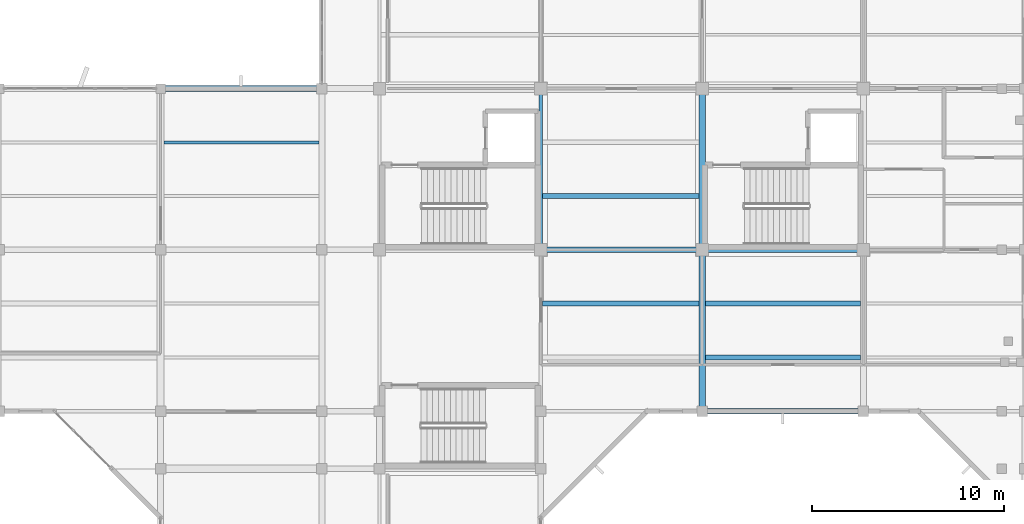
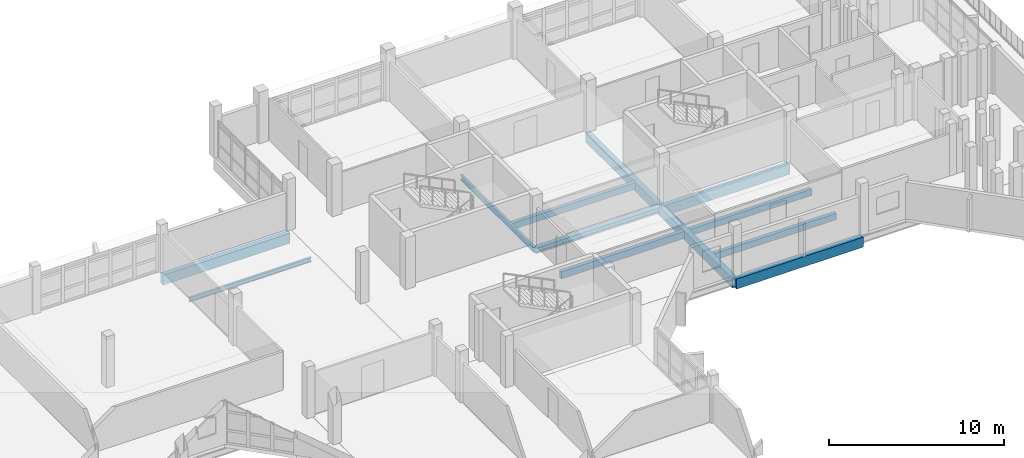
# One storey, part 19 of 51: 12 beams.
"""IFC4 building model written with IfcOpenShell, lengths in metres."""

import ifcopenshell
import ifcopenshell.guid

model = None  # the IFC model being written
_history = None  # IfcOwnerHistory: only IFC2X3 demands one
_inside = {}  # id of a spatial element -> (the spatial element, [elements in it])
_under = {}  # id of a project, library or spatial element -> (it, [spatial elements below it])
_declared = {}  # id of a project -> (the project, [libraries it declares])
_typed = {}  # id of a type object -> (the type object, [elements of that type])
_made_of = {}  # id of a material, layer set ... -> (it, [elements and type objects made of it])


def new_model(schema):
    """Start an empty IFC model of exactly this schema.

    Asked for "IFC4X3", IfcOpenShell would pick the latest addendum, in which some entities
    have other attributes; the version numbers below select the first issue.
    IFC2X3 requires an IfcOwnerHistory on every rooted entity: one is made here for all.
    """
    global model, _history
    if schema == "IFC4X3":
        model = ifcopenshell.file(schema_version=(4, 3, 0, 0))
    else:
        model = ifcopenshell.file(schema=schema)
    _inside.clear()
    _under.clear()
    _declared.clear()
    _typed.clear()
    _made_of.clear()
    _history = None
    if model.schema == "IFC2X3":
        org = make("IfcOrganization", Name="unknown")
        user = make(
            "IfcPersonAndOrganization",
            ThePerson=make("IfcPerson", FamilyName="unknown"),
            TheOrganization=org,
        )
        app = make(
            "IfcApplication",
            ApplicationDeveloper=org,
            Version="unknown",
            ApplicationFullName="unknown",
            ApplicationIdentifier="unknown",
        )
        _history = make(
            "IfcOwnerHistory",
            OwningUser=user,
            OwningApplication=app,
            ChangeAction="ADDED",
            CreationDate=0,
        )
    return model


def make(cls, **values):
    """One entity of the class cls with the attributes given. An attribute that is None is left unset."""
    return model.create_entity(
        cls, **{name: value for name, value in values.items() if value is not None}
    )


def rooted(cls, **values):
    """An entity with a GlobalId (a new one), such as an element, a storey or a relation."""
    return make(cls, GlobalId=ifcopenshell.guid.new(), OwnerHistory=_history, **values)


def si_unit(unit_type, name, prefix=None):
    """IfcSIUnit, for example si_unit("LENGTHUNIT", "METRE", prefix="MILLI")."""
    return make("IfcSIUnit", UnitType=unit_type, Prefix=prefix, Name=name)


def assignment(units):
    """IfcUnitAssignment: the units of a project."""
    return None if units is None else make("IfcUnitAssignment", Units=units)


def point(xyz):
    """IfcCartesianPoint."""
    return None if xyz is None else make("IfcCartesianPoint", Coordinates=xyz)


def direction(xyz):
    """IfcDirection."""
    return None if xyz is None else make("IfcDirection", DirectionRatios=xyz)


def frame(location, z_axis=None, x_axis=None):
    """IfcAxis2Placement3D, a coordinate frame: its origin and axes. An axis left out is left unset."""
    return make(
        "IfcAxis2Placement3D",
        Location=point(location),
        Axis=direction(z_axis),
        RefDirection=direction(x_axis),
    )


def frame_2d(location, x_axis=None):
    """IfcAxis2Placement2D, a coordinate frame in the plane: its origin and x axis."""
    return make(
        "IfcAxis2Placement2D", Location=point(location), RefDirection=direction(x_axis)
    )


def origin():
    """The frame at (0, 0, 0) with its axes left unset."""
    return frame((0.0, 0.0, 0.0))


def origin_2d():
    """The frame at (0, 0) in the plane with its x axis left unset."""
    return frame_2d((0.0, 0.0))


def place(relative_to, where):
    """IfcLocalPlacement: puts the frame where relative to a parent placement (None: the world)."""
    return make(
        "IfcLocalPlacement", PlacementRelTo=relative_to, RelativePlacement=where
    )


def context(
    kind, dimensions, precision=None, world=None, true_north=None, identifier=None
):
    """IfcGeometricRepresentationContext, for example the 3D "Model" context."""
    return make(
        "IfcGeometricRepresentationContext",
        ContextIdentifier=identifier,
        ContextType=kind,
        CoordinateSpaceDimension=dimensions,
        Precision=precision,
        WorldCoordinateSystem=world,
        TrueNorth=true_north,
    )


def subcontext(parent, identifier, kind, view, scale=None):
    """IfcGeometricRepresentationSubContext, for example "Body" below "Model"."""
    return make(
        "IfcGeometricRepresentationSubContext",
        ContextIdentifier=identifier,
        ContextType=kind,
        ParentContext=parent,
        TargetScale=scale,
        TargetView=view,
    )


def project(units=None, contexts=None):
    """IfcProject with its units and contexts."""
    return rooted(
        "IfcProject",
        Name="project",
        RepresentationContexts=contexts,
        UnitsInContext=assignment(units),
    )


def spatial(cls, under=None, at=None, **own):
    """A site, building, storey or space (cls), placed at a placement, below another one or the project."""
    s = rooted(cls, ObjectPlacement=at, **own)
    if under is not None:
        _under.setdefault(under.id(), (under, []))[1].append(s)
    return s


def profile(cls, at=None, kind="AREA", **sizes):
    """A parametric profile (cls). Its sizes go by their IFC names, for example OverallWidth=200.0."""
    return make(cls, ProfileType=kind, Position=at, **sizes)


def rectangle(**sizes):
    """IfcRectangleProfileDef."""
    return profile("IfcRectangleProfileDef", **sizes)


def i_section(**sizes):
    """IfcIShapeProfileDef."""
    return profile("IfcIShapeProfileDef", **sizes)


def extrude(swept, where, along, depth):
    """IfcExtrudedAreaSolid: the profile swept, set in the frame where, extruded along a direction by depth."""
    return make(
        "IfcExtrudedAreaSolid",
        SweptArea=swept,
        Position=where,
        ExtrudedDirection=direction(along),
        Depth=depth,
    )


def shape(context_of_items, identifier, shape_type, items):
    """IfcShapeRepresentation: the items that make up one representation, for example the "Body"."""
    return make(
        "IfcShapeRepresentation",
        ContextOfItems=context_of_items,
        RepresentationIdentifier=identifier,
        RepresentationType=shape_type,
        Items=items,
    )


def material(Name=None, Category=None):
    """IfcMaterial."""
    return make("IfcMaterial", Name=Name, Category=Category)


def material_profile(
    of_material, cross_section, Name=None, Category=None, Priority=None
):
    """IfcMaterialProfile: a cross section and its material."""
    return make(
        "IfcMaterialProfile",
        Name=Name,
        Material=of_material,
        Profile=cross_section,
        Priority=Priority,
        Category=Category,
    )


def profile_set(profiles, Name=None, composite=None):
    """IfcMaterialProfileSet."""
    return make(
        "IfcMaterialProfileSet",
        Name=Name,
        MaterialProfiles=profiles,
        CompositeProfile=composite,
    )


def made_of(thing, what):
    """Note that an element or type object is made of a material, layer set ...; save() writes the relation."""
    if what is not None:
        _made_of.setdefault(what.id(), (what, []))[1].append(thing)
    return thing


def type_object(cls, material=None, **own):
    """A type object (cls), such as IfcWallType, which elements share."""
    return made_of(rooted(cls, **own), material)


def element(
    cls,
    number,
    at=None,
    inside=None,
    cuts=None,
    type_object=None,
    material=None,
    context=None,
    identifier="Body",
    shape_type=None,
    held_by="IfcProductDefinitionShape",
    body=None,
    shapes=None,
    **own,
):
    """One element of the class cls, such as IfcWall. Its Tag is "e" and its number.

    at: its placement. inside: the storey or other place that contains it. cuts: it is an
    opening in that element (IfcRelVoidsElement). A single representation is given by context,
    identifier, shape_type and body (its items); several are given by shapes. held_by: the class
    of the entity that holds the representations. save() writes the other relations.
    """
    e = rooted(cls, Tag="e%d" % number, ObjectPlacement=at, **own)
    if body is not None:
        shapes = [shape(context, identifier, shape_type, body)]
    if shapes is not None:
        e.Representation = make(held_by, Representations=shapes)
    if inside is not None:
        _inside.setdefault(inside.id(), (inside, []))[1].append(e)
    if cuts is not None:
        rooted(
            "IfcRelVoidsElement", RelatingBuildingElement=cuts, RelatedOpeningElement=e
        )
    if type_object is not None:
        _typed.setdefault(type_object.id(), (type_object, []))[1].append(e)
    return made_of(e, material)


def aggregate(whole, parts):
    """IfcRelAggregates: a whole, such as a stair, and the parts it consists of."""
    return rooted("IfcRelAggregates", RelatingObject=whole, RelatedObjects=parts)


def save(model, path):
    """Write the relations noted so far, then the file.

    IfcRelAggregates (storeys below a building ...), IfcRelContainedInSpatialStructure (elements
    in a storey), IfcRelDefinesByType, IfcRelAssociatesMaterial and IfcRelDeclares: one each for
    every whole, place, type object, material and project.
    """
    for whole, parts in _under.values():
        aggregate(whole, parts)
    for where, things in _inside.values():
        rooted(
            "IfcRelContainedInSpatialStructure",
            RelatedElements=things,
            RelatingStructure=where,
        )
    for kind, things in _typed.values():
        rooted("IfcRelDefinesByType", RelatedObjects=things, RelatingType=kind)
    for what, things in _made_of.values():
        rooted("IfcRelAssociatesMaterial", RelatedObjects=things, RelatingMaterial=what)
    for by, libraries in _declared.values():
        rooted("IfcRelDeclares", RelatingContext=by, RelatedDefinitions=libraries)
    model.write(path)


model = new_model("IFC4")

# Units and contexts
model_context = context("Model", 3, precision=1e-05, world=origin(), true_north=direction((0.0, 1.0)))
body_context = subcontext(model_context, "Body", "Model", "MODEL_VIEW")
ifc_project = project(units=[si_unit("LENGTHUNIT", "METRE"), si_unit("AREAUNIT", "SQUARE_METRE"), si_unit("VOLUMEUNIT", "CUBIC_METRE"), si_unit("PLANEANGLEUNIT", "RADIAN"), si_unit("MASSUNIT", "GRAM", prefix="KILO")], contexts=[model_context])

# Site, building, storey
site_placement = place(None, origin())
site = spatial("IfcSite", under=ifc_project, at=site_placement, CompositionType="ELEMENT")
building_placement = place(site_placement, origin())
building = spatial("IfcBuilding", under=site, at=building_placement, Name="Vanh Quang Courtyard School", CompositionType="ELEMENT")
storey_placement = place(building_placement, frame((0.0, 0.0, 11.39990234375)))
storey = spatial("IfcBuildingStorey", under=building, at=storey_placement, Name="L03", CompositionType="ELEMENT", Elevation=11.39990234375)

# Beams
ifc_material_1 = material(Name="Concrete C35/45", Category="concrete")
ifc_material_profile_1 = material_profile(ifc_material_1, rectangle(XDim=0.35009765625, YDim=0.64990234375, at=origin_2d()), Name="RC-BM 350x650")
ifc_profile_set_1 = profile_set([ifc_material_profile_1], Name="Concrete C35/45")
beam_type_1 = type_object("IfcBeamType", Name="BM-RC-350x650", PredefinedType="BEAM", material=ifc_profile_set_1)
beam_1_placement = place(storey_placement, frame((94.199951171875, 71.39990234375, -0.5849609375), z_axis=(0.0, 1.0, 0.0), x_axis=(-1.0, 0.0, 0.0)))
element("IfcBeam", 1, at=beam_1_placement, inside=storey, type_object=beam_type_1, Name="Beam B-05 (L03)", PredefinedType="BEAM", context=body_context, shape_type="SweptSolid", body=[
    extrude(rectangle(XDim=0.35009765625, YDim=0.64990234375, at=origin_2d()), origin(), (0.0, 0.0, 1.0), 8.400146484375),
])
beam_2_placement = place(storey_placement, frame((94.199951171875, 79.800048828125, -0.5849609375), z_axis=(0.0, 1.0, 0.0), x_axis=(-1.0, 0.0, 0.0)))
element("IfcBeam", 2, at=beam_2_placement, inside=storey, type_object=beam_type_1, Name="Beam B-05 (L03)", PredefinedType="BEAM", context=body_context, shape_type="SweptSolid", body=[
    extrude(rectangle(XDim=0.35009765625, YDim=0.64990234375, at=origin_2d()), origin(), (0.0, 0.0, 1.0), 8.39990234375),
])
ifc_material_profile_2 = material_profile(ifc_material_1, rectangle(XDim=0.300048828125, YDim=0.699951171875, at=origin_2d()), Name="RC-SP 300x700")
ifc_profile_set_2 = profile_set([ifc_material_profile_2], Name="Concrete C35/45")
beam_type_2 = type_object("IfcBeamType", Name="BM-SP-300x700", PredefinedType="SPANDREL", material=ifc_profile_set_2)
for number, where, z_axis, x_axis, name in (
    (3, (94.199951171875, 71.39990234375, -0.60986328125), (1.0, 0.0, 0.0), (0.0, 1.0, 0.0), "Beam BS-01 (L03)"),
    (4, (94.199951171875, 79.800048828125, -0.60986328125), (1.0, 0.0, 0.0), (0.0, 1.0, 0.0), "Beam BS-01 (L03)"),
):
    element("IfcBeam", number, at=place(storey_placement, frame(where, z_axis=z_axis, x_axis=x_axis)), inside=storey, type_object=beam_type_2, Name=name, PredefinedType="SPANDREL", context=body_context, shape_type="SweptSolid", body=[
        extrude(rectangle(XDim=0.300048828125, YDim=0.699951171875, at=origin_2d()), origin(), (0.0, 0.0, 1.0), 8.400146484375),
    ])
beam_3_placement = place(storey_placement, frame((66.0, 88.199951171875, -0.64990234375), z_axis=(1.0, 0.0, 0.0), x_axis=(0.0, 1.0, 0.0)))
element("IfcBeam", 5, at=beam_3_placement, inside=storey, type_object=beam_type_2, Name="Beam BS-01 (L03)", PredefinedType="SPANDREL", context=body_context, shape_type="SweptSolid", body=[
    extrude(rectangle(XDim=0.300048828125, YDim=0.699951171875, at=origin_2d()), origin(), (0.0, 0.0, 1.0), 8.39990234375),
])
ifc_material_2 = material(Name="Structural steel EN 10025-2 S355J2", Category="steel")
ifc_material_profile_3 = material_profile(ifc_material_2, i_section(OverallWidth=0.300048828125, OverallDepth=0.389892578125, WebThickness=0.010986328125, FlangeThickness=0.01904296875, FilletRadius=0.027099609375, at=origin_2d()), Name="HEA 400")
ifc_profile_set_3 = profile_set([ifc_material_profile_3], Name="Structural steel EN 10025-2 S355J2")
beam_type_3 = type_object("IfcBeamType", Name="BM-STL-HEA400", PredefinedType="BEAM", material=ifc_profile_set_3)
beam_4_placement = place(storey_placement, frame((85.800048828125, 79.800048828125, -0.454833984375), z_axis=(1.0, 0.0, 0.0), x_axis=(0.0, 1.0, 0.0)))
element("IfcBeam", 6, at=beam_4_placement, inside=storey, type_object=beam_type_3, Name="Beam SB-08 (L03)", PredefinedType="BEAM", context=body_context, shape_type="SweptSolid", body=[
    extrude(i_section(OverallWidth=0.300048828125, OverallDepth=0.389892578125, WebThickness=0.010986328125, FlangeThickness=0.01904296875, FilletRadius=0.027099609375, at=origin_2d()), origin(), (0.0, 0.0, 1.0), 8.39990234375),
])
ifc_material_profile_4 = material_profile(ifc_material_2, i_section(OverallWidth=0.169921875, OverallDepth=0.360107421875, WebThickness=0.008056640625, FlangeThickness=0.0126953125, FilletRadius=0.01806640625, at=origin_2d()), Name="IPE 360")
ifc_profile_set_4 = profile_set([ifc_material_profile_4], Name="Structural steel EN 10025-2 S355J2")
beam_type_4 = type_object("IfcBeamType", Name="BM-STL-IPE360", PredefinedType="BEAM", material=ifc_profile_set_4)
beam_5_placement = place(storey_placement, frame((85.800048828125, 79.800048828125, -0.43994140625), z_axis=(0.0, 1.0, 0.0), x_axis=(-1.0, 0.0, 0.0)))
element("IfcBeam", 7, at=beam_5_placement, inside=storey, type_object=beam_type_4, Name="Beam SB-06 (L03)", PredefinedType="BEAM", context=body_context, shape_type="SweptSolid", body=[
    extrude(i_section(OverallWidth=0.169921875, OverallDepth=0.360107421875, WebThickness=0.008056640625, FlangeThickness=0.0126953125, FilletRadius=0.01806640625, at=origin_2d()), origin(), (0.0, 0.0, 1.0), 8.39990234375),
])
ifc_material_3 = material(Name="Concrete C30/37", Category="concrete")
ifc_material_profile_5 = material_profile(ifc_material_3, rectangle(XDim=0.25, YDim=0.449951171875, at=origin_2d()), Name="RC-JST 250x450")
ifc_profile_set_5 = profile_set([ifc_material_profile_5], Name="Concrete C30/37")
beam_type_5 = type_object("IfcBeamType", Name="JST-RC-250x450", PredefinedType="JOIST", material=ifc_profile_set_5)
beam_6_placement = place(storey_placement, frame((85.885009765625, 82.60009765625, -0.48486328125), z_axis=(1.0, 0.0, 0.0), x_axis=(0.0, 1.0, 0.0)))
element("IfcBeam", 8, at=beam_6_placement, inside=storey, type_object=beam_type_5, Name="Beam BJ-02 (L03)", PredefinedType="JOIST", context=body_context, shape_type="SweptSolid", body=[
    extrude(rectangle(XDim=0.25, YDim=0.449951171875, at=origin_2d()), origin(), (0.0, 0.0, 1.0), 8.139892578125),
])
for number, where, z_axis, x_axis, name in (
    (9, (94.375, 74.199951171875, -0.48486328125), (1.0, 0.0, 0.0), (0.0, 1.0, 0.0), "Beam BJ-02 (L03)"),
    (10, (94.375, 77.0, -0.48486328125), (1.0, 0.0, 0.0), (0.0, 1.0, 0.0), "Beam BJ-02 (L03)"),
):
    element("IfcBeam", number, at=place(storey_placement, frame(where, z_axis=z_axis, x_axis=x_axis)), inside=storey, type_object=beam_type_5, Name=name, PredefinedType="JOIST", context=body_context, shape_type="SweptSolid", body=[
        extrude(rectangle(XDim=0.25, YDim=0.449951171875, at=origin_2d()), origin(), (0.0, 0.0, 1.0), 8.074951171875),
    ])
ifc_material_profile_6 = material_profile(ifc_material_3, rectangle(XDim=0.25, YDim=0.5, at=origin_2d()), Name="RC-JST 250x500")
ifc_profile_set_6 = profile_set([ifc_material_profile_6], Name="Concrete C30/37")
beam_type_6 = type_object("IfcBeamType", Name="JST-RC-250x500", PredefinedType="JOIST", material=ifc_profile_set_6)
beam_7_placement = place(storey_placement, frame((85.885009765625, 77.0, -0.510009765625), z_axis=(1.0, 0.0, 0.0), x_axis=(0.0, 1.0, 0.0)))
element("IfcBeam", 11, at=beam_7_placement, inside=storey, type_object=beam_type_6, Name="Beam BJ-01 (L03)", PredefinedType="JOIST", context=body_context, shape_type="SweptSolid", body=[
    extrude(rectangle(XDim=0.25, YDim=0.5, at=origin_2d()), origin(), (0.0, 0.0, 1.0), 8.139892578125),
])
ifc_material_profile_7 = material_profile(ifc_material_2, i_section(OverallWidth=0.14990234375, OverallDepth=0.300048828125, WebThickness=0.007080078125, FlangeThickness=0.0107421875, FilletRadius=0.014892578125, at=origin_2d()), Name="IPE 300")
ifc_profile_set_7 = profile_set([ifc_material_profile_7], Name="Structural steel EN 10025-2 S355J2")
beam_type_7 = type_object("IfcBeamType", Name="JST-STL-IPE300", PredefinedType="JOIST", material=ifc_profile_set_7)
beam_8_placement = place(storey_placement, frame((66.175048828125, 85.39990234375, -0.449951171875), z_axis=(1.0, 0.0, 0.0), x_axis=(0.0, 1.0, 0.0)))
element("IfcBeam", 12, at=beam_8_placement, inside=storey, type_object=beam_type_7, Name="Beam SJ-02 (L03)", PredefinedType="JOIST", context=body_context, shape_type="SweptSolid", body=[
    extrude(i_section(OverallWidth=0.14990234375, OverallDepth=0.300048828125, WebThickness=0.007080078125, FlangeThickness=0.0107421875, FilletRadius=0.014892578125, at=origin_2d()), origin(), (0.0, 0.0, 1.0), 8.074951171875),
])

save(model, "model.ifc")
